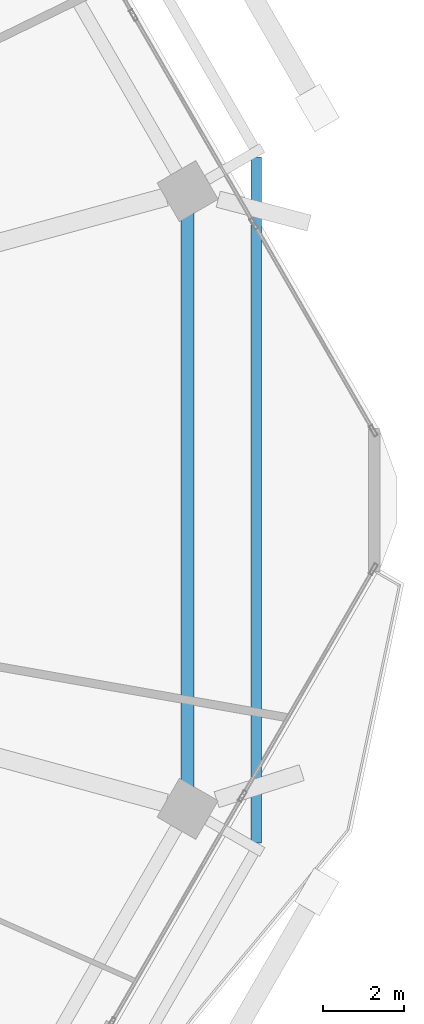
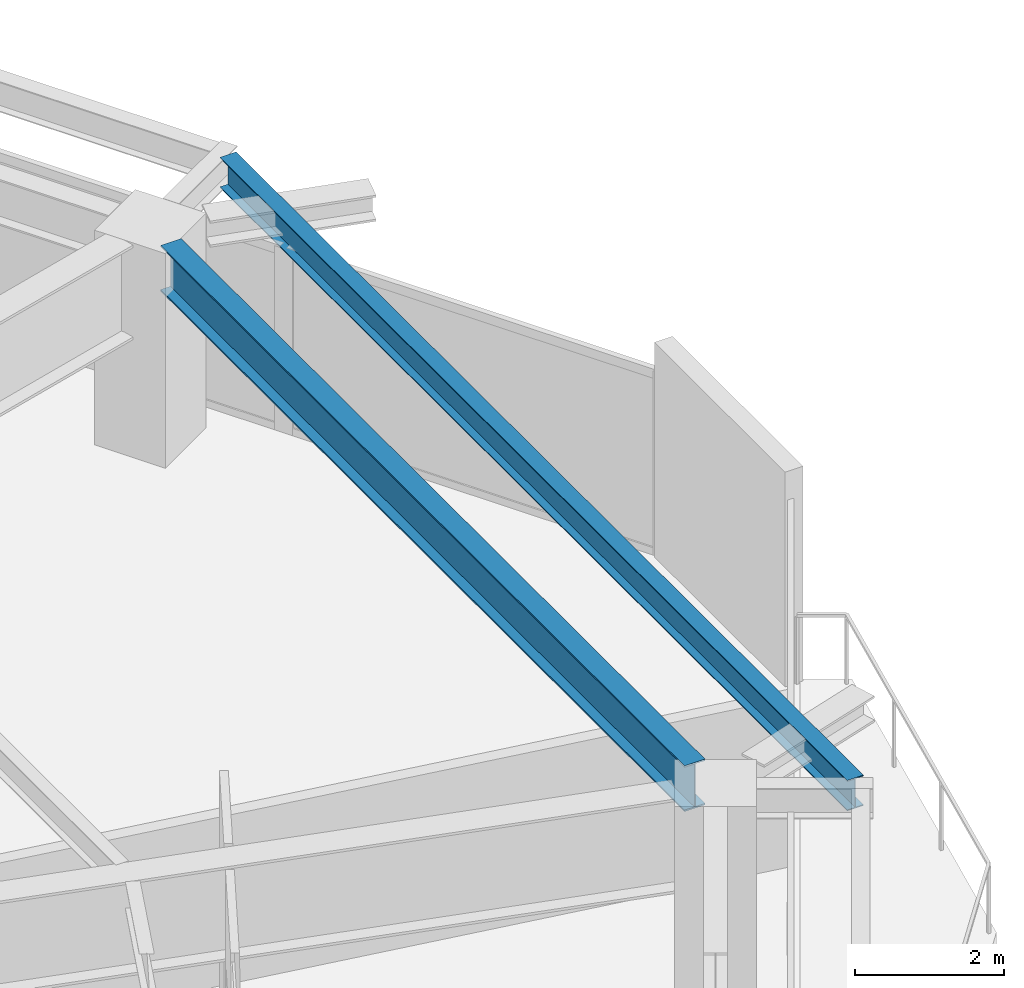
# One storey, part 13 of 33: 2 beams.
"""IFC4 building model written with IfcOpenShell, lengths in metres."""

import ifcopenshell
import ifcopenshell.guid

model = None  # the IFC model being written
_history = None  # IfcOwnerHistory: only IFC2X3 demands one
_inside = {}  # id of a spatial element -> (the spatial element, [elements in it])
_under = {}  # id of a project, library or spatial element -> (it, [spatial elements below it])
_declared = {}  # id of a project -> (the project, [libraries it declares])
_typed = {}  # id of a type object -> (the type object, [elements of that type])
_made_of = {}  # id of a material, layer set ... -> (it, [elements and type objects made of it])


def new_model(schema):
    """Start an empty IFC model of exactly this schema.

    Asked for "IFC4X3", IfcOpenShell would pick the latest addendum, in which some entities
    have other attributes; the version numbers below select the first issue.
    IFC2X3 requires an IfcOwnerHistory on every rooted entity: one is made here for all.
    """
    global model, _history
    if schema == "IFC4X3":
        model = ifcopenshell.file(schema_version=(4, 3, 0, 0))
    else:
        model = ifcopenshell.file(schema=schema)
    _inside.clear()
    _under.clear()
    _declared.clear()
    _typed.clear()
    _made_of.clear()
    _history = None
    if model.schema == "IFC2X3":
        org = make("IfcOrganization", Name="unknown")
        user = make(
            "IfcPersonAndOrganization",
            ThePerson=make("IfcPerson", FamilyName="unknown"),
            TheOrganization=org,
        )
        app = make(
            "IfcApplication",
            ApplicationDeveloper=org,
            Version="unknown",
            ApplicationFullName="unknown",
            ApplicationIdentifier="unknown",
        )
        _history = make(
            "IfcOwnerHistory",
            OwningUser=user,
            OwningApplication=app,
            ChangeAction="ADDED",
            CreationDate=0,
        )
    return model


def make(cls, **values):
    """One entity of the class cls with the attributes given. An attribute that is None is left unset."""
    return model.create_entity(
        cls, **{name: value for name, value in values.items() if value is not None}
    )


def rooted(cls, **values):
    """An entity with a GlobalId (a new one), such as an element, a storey or a relation."""
    return make(cls, GlobalId=ifcopenshell.guid.new(), OwnerHistory=_history, **values)


def si_unit(unit_type, name, prefix=None):
    """IfcSIUnit, for example si_unit("LENGTHUNIT", "METRE", prefix="MILLI")."""
    return make("IfcSIUnit", UnitType=unit_type, Prefix=prefix, Name=name)


def assignment(units):
    """IfcUnitAssignment: the units of a project."""
    return None if units is None else make("IfcUnitAssignment", Units=units)


def point(xyz):
    """IfcCartesianPoint."""
    return None if xyz is None else make("IfcCartesianPoint", Coordinates=xyz)


def direction(xyz):
    """IfcDirection."""
    return None if xyz is None else make("IfcDirection", DirectionRatios=xyz)


def frame(location, z_axis=None, x_axis=None):
    """IfcAxis2Placement3D, a coordinate frame: its origin and axes. An axis left out is left unset."""
    return make(
        "IfcAxis2Placement3D",
        Location=point(location),
        Axis=direction(z_axis),
        RefDirection=direction(x_axis),
    )


def frame_2d(location, x_axis=None):
    """IfcAxis2Placement2D, a coordinate frame in the plane: its origin and x axis."""
    return make(
        "IfcAxis2Placement2D", Location=point(location), RefDirection=direction(x_axis)
    )


def origin():
    """The frame at (0, 0, 0) with its axes left unset."""
    return frame((0.0, 0.0, 0.0))


def origin_2d():
    """The frame at (0, 0) in the plane with its x axis left unset."""
    return frame_2d((0.0, 0.0))


def place(relative_to, where):
    """IfcLocalPlacement: puts the frame where relative to a parent placement (None: the world)."""
    return make(
        "IfcLocalPlacement", PlacementRelTo=relative_to, RelativePlacement=where
    )


def context(
    kind, dimensions, precision=None, world=None, true_north=None, identifier=None
):
    """IfcGeometricRepresentationContext, for example the 3D "Model" context."""
    return make(
        "IfcGeometricRepresentationContext",
        ContextIdentifier=identifier,
        ContextType=kind,
        CoordinateSpaceDimension=dimensions,
        Precision=precision,
        WorldCoordinateSystem=world,
        TrueNorth=true_north,
    )


def subcontext(parent, identifier, kind, view, scale=None):
    """IfcGeometricRepresentationSubContext, for example "Body" below "Model"."""
    return make(
        "IfcGeometricRepresentationSubContext",
        ContextIdentifier=identifier,
        ContextType=kind,
        ParentContext=parent,
        TargetScale=scale,
        TargetView=view,
    )


def project(units=None, contexts=None):
    """IfcProject with its units and contexts."""
    return rooted(
        "IfcProject",
        Name="project",
        RepresentationContexts=contexts,
        UnitsInContext=assignment(units),
    )


def spatial(cls, under=None, at=None, **own):
    """A site, building, storey or space (cls), placed at a placement, below another one or the project."""
    s = rooted(cls, ObjectPlacement=at, **own)
    if under is not None:
        _under.setdefault(under.id(), (under, []))[1].append(s)
    return s


def profile(cls, at=None, kind="AREA", **sizes):
    """A parametric profile (cls). Its sizes go by their IFC names, for example OverallWidth=200.0."""
    return make(cls, ProfileType=kind, Position=at, **sizes)


def i_section(**sizes):
    """IfcIShapeProfileDef."""
    return profile("IfcIShapeProfileDef", **sizes)


def extrude(swept, where, along, depth):
    """IfcExtrudedAreaSolid: the profile swept, set in the frame where, extruded along a direction by depth."""
    return make(
        "IfcExtrudedAreaSolid",
        SweptArea=swept,
        Position=where,
        ExtrudedDirection=direction(along),
        Depth=depth,
    )


def shape(context_of_items, identifier, shape_type, items):
    """IfcShapeRepresentation: the items that make up one representation, for example the "Body"."""
    return make(
        "IfcShapeRepresentation",
        ContextOfItems=context_of_items,
        RepresentationIdentifier=identifier,
        RepresentationType=shape_type,
        Items=items,
    )


def material(Name=None, Category=None):
    """IfcMaterial."""
    return make("IfcMaterial", Name=Name, Category=Category)


def material_profile(
    of_material, cross_section, Name=None, Category=None, Priority=None
):
    """IfcMaterialProfile: a cross section and its material."""
    return make(
        "IfcMaterialProfile",
        Name=Name,
        Material=of_material,
        Profile=cross_section,
        Priority=Priority,
        Category=Category,
    )


def profile_set(profiles, Name=None, composite=None):
    """IfcMaterialProfileSet."""
    return make(
        "IfcMaterialProfileSet",
        Name=Name,
        MaterialProfiles=profiles,
        CompositeProfile=composite,
    )


def made_of(thing, what):
    """Note that an element or type object is made of a material, layer set ...; save() writes the relation."""
    if what is not None:
        _made_of.setdefault(what.id(), (what, []))[1].append(thing)
    return thing


def type_object(cls, material=None, **own):
    """A type object (cls), such as IfcWallType, which elements share."""
    return made_of(rooted(cls, **own), material)


def element(
    cls,
    number,
    at=None,
    inside=None,
    cuts=None,
    type_object=None,
    material=None,
    context=None,
    identifier="Body",
    shape_type=None,
    held_by="IfcProductDefinitionShape",
    body=None,
    shapes=None,
    **own,
):
    """One element of the class cls, such as IfcWall. Its Tag is "e" and its number.

    at: its placement. inside: the storey or other place that contains it. cuts: it is an
    opening in that element (IfcRelVoidsElement). A single representation is given by context,
    identifier, shape_type and body (its items); several are given by shapes. held_by: the class
    of the entity that holds the representations. save() writes the other relations.
    """
    e = rooted(cls, Tag="e%d" % number, ObjectPlacement=at, **own)
    if body is not None:
        shapes = [shape(context, identifier, shape_type, body)]
    if shapes is not None:
        e.Representation = make(held_by, Representations=shapes)
    if inside is not None:
        _inside.setdefault(inside.id(), (inside, []))[1].append(e)
    if cuts is not None:
        rooted(
            "IfcRelVoidsElement", RelatingBuildingElement=cuts, RelatedOpeningElement=e
        )
    if type_object is not None:
        _typed.setdefault(type_object.id(), (type_object, []))[1].append(e)
    return made_of(e, material)


def aggregate(whole, parts):
    """IfcRelAggregates: a whole, such as a stair, and the parts it consists of."""
    return rooted("IfcRelAggregates", RelatingObject=whole, RelatedObjects=parts)


def save(model, path):
    """Write the relations noted so far, then the file.

    IfcRelAggregates (storeys below a building ...), IfcRelContainedInSpatialStructure (elements
    in a storey), IfcRelDefinesByType, IfcRelAssociatesMaterial and IfcRelDeclares: one each for
    every whole, place, type object, material and project.
    """
    for whole, parts in _under.values():
        aggregate(whole, parts)
    for where, things in _inside.values():
        rooted(
            "IfcRelContainedInSpatialStructure",
            RelatedElements=things,
            RelatingStructure=where,
        )
    for kind, things in _typed.values():
        rooted("IfcRelDefinesByType", RelatedObjects=things, RelatingType=kind)
    for what, things in _made_of.values():
        rooted("IfcRelAssociatesMaterial", RelatedObjects=things, RelatingMaterial=what)
    for by, libraries in _declared.values():
        rooted("IfcRelDeclares", RelatingContext=by, RelatedDefinitions=libraries)
    model.write(path)


model = new_model("IFC4")

# Units and contexts
model_context = context("Model", 3, precision=1e-05, world=origin(), true_north=direction((0.0, 1.0)))
body_context = subcontext(model_context, "Body", "Model", "MODEL_VIEW")
ifc_project = project(units=[si_unit("LENGTHUNIT", "METRE"), si_unit("AREAUNIT", "SQUARE_METRE"), si_unit("VOLUMEUNIT", "CUBIC_METRE"), si_unit("PLANEANGLEUNIT", "RADIAN"), si_unit("MASSUNIT", "GRAM", prefix="KILO")], contexts=[model_context])

# Site, building, storey
site_placement = place(None, origin())
site = spatial("IfcSite", under=ifc_project, at=site_placement, CompositionType="ELEMENT")
building_placement = place(site_placement, origin())
building = spatial("IfcBuilding", under=site, at=building_placement, Name="Zuhravey Tower", CompositionType="ELEMENT")
storey_placement = place(building_placement, frame((0.0, 0.0, 141.800048828125)))
storey = spatial("IfcBuildingStorey", under=building, at=storey_placement, Name="L35", CompositionType="ELEMENT", Elevation=141.800048828125)

# Beams
ifc_material = material(Name="Steel SM355", Category="steel")
ifc_material_profile_1 = material_profile(ifc_material, i_section(OverallWidth=0.320068359375, OverallDepth=0.75, WebThickness=0.013916015625, FlangeThickness=0.02490234375, at=origin_2d()), Name="H-750x320x14x25")
ifc_profile_set_1 = profile_set([ifc_material_profile_1], Name="Steel SM355")
beam_type_1 = type_object("IfcBeamType", Name="Perimeter Ring Beam H750x320", PredefinedType="BEAM", material=ifc_profile_set_1)
beam_1_placement = place(storey_placement, frame((63.88916015625, 24.96142578125, 3.14501953125), z_axis=(0.0, 1.0, 0.0), x_axis=(-1.0, 0.0, 0.0)))
element("IfcBeam", 1, at=beam_1_placement, inside=storey, type_object=beam_type_1, Name="L35 PB1 BM-L35-PB-12", PredefinedType="BEAM", context=body_context, shape_type="SweptSolid", body=[
    extrude(i_section(OverallWidth=0.320068359375, OverallDepth=0.75, WebThickness=0.013916015625, FlangeThickness=0.02490234375, at=origin_2d()), origin(), (0.0, 0.0, 1.0), 14.0771484375),
])
ifc_material_profile_2 = material_profile(ifc_material, i_section(OverallWidth=0.25, OverallDepth=0.5, WebThickness=0.010009765625, FlangeThickness=0.01611328125, at=origin_2d()), Name="H-500x250x10x16")
ifc_profile_set_2 = profile_set([ifc_material_profile_2], Name="Steel SM355")
beam_type_2 = type_object("IfcBeamType", Name="Tray Cantilever Spandrel H500x250", PredefinedType="SPANDREL", material=ifc_profile_set_2)
beam_2_placement = place(storey_placement, frame((65.577880859375, 23.573486328125, 3.27001953125), z_axis=(0.0, 1.0, 0.0), x_axis=(-1.0, 0.0, 0.0)))
element("IfcBeam", 2, at=beam_2_placement, inside=storey, type_object=beam_type_2, Name="L35 Sky-Tray Edge Spandrel TSB1-12", PredefinedType="SPANDREL", context=body_context, shape_type="SweptSolid", body=[
    extrude(i_section(OverallWidth=0.25, OverallDepth=0.5, WebThickness=0.010009765625, FlangeThickness=0.01611328125, at=origin_2d()), origin(), (0.0, 0.0, 1.0), 16.85302734375),
])

save(model, "model.ifc")
